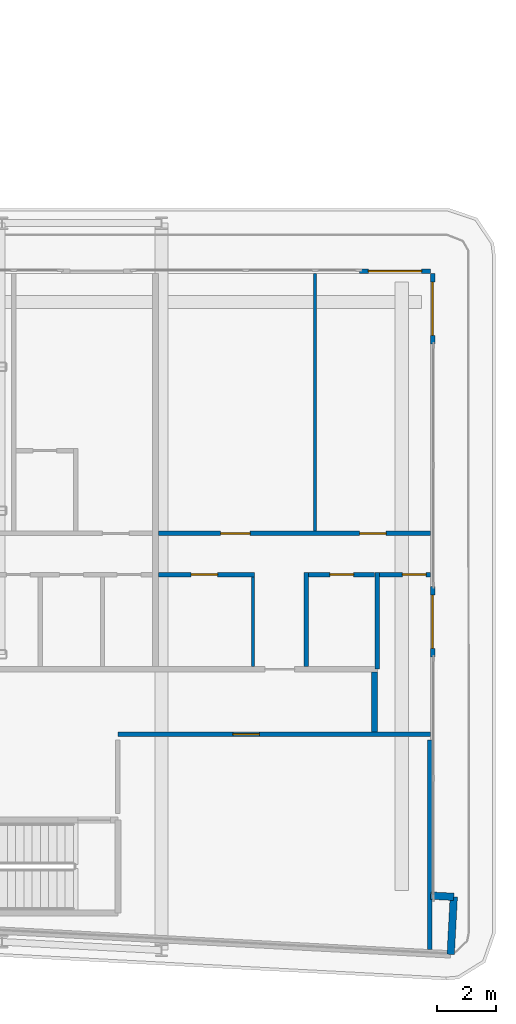
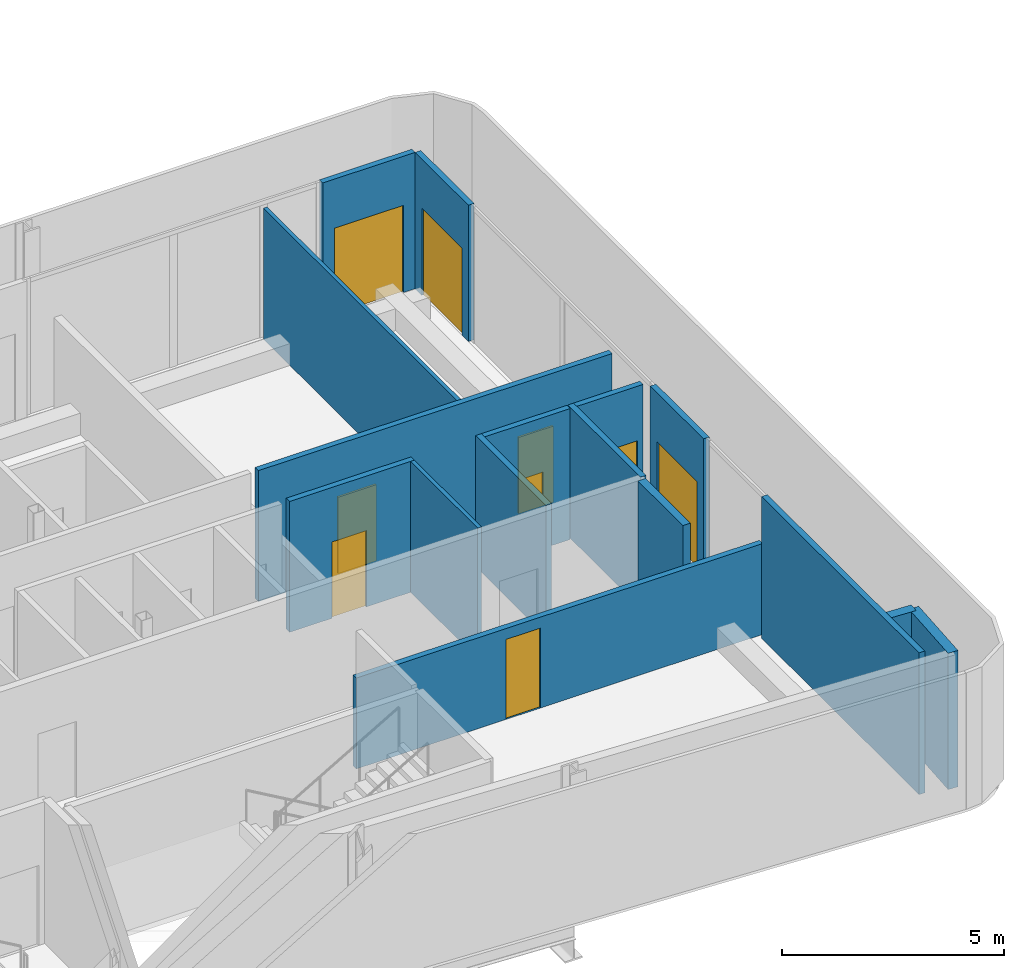
# One storey, part 19 of 28: 16 walls, 9 doors, 9 openings.
"""IFC4 building model written with IfcOpenShell, lengths in metres."""

from ifc_helpers import new_model, si_unit, direction, frame, frame_2d, origin, place, context, subcontext, project, spatial, rectangle, extrude, source, transform, mapped, material, layer, layer_set, type_object, element, fill, save


model = new_model("IFC4")

# Units and contexts
model_context = context("Model", 3, precision=1e-05, world=origin(), true_north=direction((0.0, 1.0)))
body_context = subcontext(model_context, "Body", "Model", "MODEL_VIEW")
ifc_project = project(units=[si_unit("LENGTHUNIT", "METRE"), si_unit("AREAUNIT", "SQUARE_METRE"), si_unit("VOLUMEUNIT", "CUBIC_METRE"), si_unit("PLANEANGLEUNIT", "RADIAN"), si_unit("MASSUNIT", "GRAM", prefix="KILO")], contexts=[model_context])

# Site, building, storey
site_placement = place(None, origin())
site = spatial("IfcSite", under=ifc_project, at=site_placement, CompositionType="ELEMENT")
building_placement = place(site_placement, origin())
building = spatial("IfcBuilding", under=site, at=building_placement, Name="Kheshtan School and Residences Tower", CompositionType="ELEMENT")
storey_placement = place(building_placement, frame((0.0, 0.0, 187.699951171875)))
storey = spatial("IfcBuildingStorey", under=building, at=storey_placement, Name="L44", CompositionType="ELEMENT", Elevation=187.699951171875)

# Walls
ifc_material_1 = material(Name="Gypsum board on steel studs with fire boards", Category="steel")
ifc_layer_1 = layer(ifc_material_1, 0.199951171875)
ifc_layer_set_1 = layer_set([ifc_layer_1], Name="Corridor wall 200")
wall_type_1 = type_object("IfcWallType", Name="Corridor wall 200", PredefinedType="PARTITIONING", material=ifc_layer_set_1)
wall_1_placement = place(storey_placement, frame((98.0, 28.3740234375, 0.0), z_axis=(0.0, 0.0, 1.0), x_axis=(0.0, 1.0, 0.0)))
element("IfcWall", 1, at=wall_1_placement, inside=storey, type_object=wall_type_1, Name="Partition L44-077", PredefinedType="PARTITIONING", context=body_context, shape_type="SweptSolid", body=[
    extrude(rectangle(XDim=2.02587890625, YDim=0.199951171875, at=frame_2d((1.012939453125, 0.0))), origin(), (0.0, 0.0, 1.0), 3.60009765625),
])
ifc_material_2 = material(Name="Concrete C40/50 with ceramic cladding and mineral wool insulation", Category="concrete")
ifc_layer_2 = layer(ifc_material_2, 0.25)
ifc_layer_set_2 = layer_set([ifc_layer_2], Name="External wall 250 ceramic clad")
wall_type_2 = type_object("IfcWallType", Name="External wall 250 ceramic clad", PredefinedType="SOLIDWALL", material=ifc_layer_set_2)
wall_2_placement = place(storey_placement, frame((99.906982421875, 22.839111328125, 0.0), z_axis=(0.0, 0.0, 1.0), x_axis=(0.998561284263, -0.053622398031, 0.0)))
element("IfcWall", 2, at=wall_2_placement, inside=storey, type_object=wall_type_2, Name="External wall L44 14", PredefinedType="SOLIDWALL", context=body_context, shape_type="SweptSolid", body=[
    extrude(rectangle(XDim=0.783203125, YDim=0.25, at=frame_2d((0.3916015625, 0.0))), origin(), (0.0, 0.0, 1.0), 3.75),
])
wall_3_placement = place(storey_placement, frame((100.68896484375, 22.797119140625, 0.0), z_axis=(0.0, 0.0, 1.0), x_axis=(-0.052841433274, -0.998602915542, 0.0)))
element("IfcWall", 3, at=wall_3_placement, inside=storey, type_object=wall_type_2, Name="External wall L44 15", PredefinedType="SOLIDWALL", context=body_context, shape_type="SweptSolid", body=[
    extrude(rectangle(XDim=1.94970703125, YDim=0.25, at=frame_2d((0.974853515625, 0.0))), origin(), (0.0, 0.0, 1.0), 3.75),
])

# Wall, opening, door
ifc_material_3 = material(Name="Aluminium frame wall with insulated infill", Category="aluminium")
ifc_layer_3 = layer(ifc_material_3, 0.14990234375)
ifc_layer_set_3 = layer_set([ifc_layer_3], Name="Glazing frame wall 150")
wall_type_3 = type_object("IfcWallType", Name="Glazing frame wall 150", PredefinedType="SOLIDWALL", material=ifc_layer_set_3)
wall_4_placement = place(storey_placement, frame((97.5, 43.97509765625, 0.0), z_axis=(0.0, 0.0, 1.0), x_axis=(1.0, 0.0, 0.0)))
wall_4 = element("IfcWall", 4, at=wall_4_placement, inside=storey, type_object=wall_type_3, Name="Balcony door wall L44 12.5", PredefinedType="SOLIDWALL", context=body_context, shape_type="SweptSolid", body=[
    extrude(rectangle(XDim=2.39990234375, YDim=0.14990234375, at=frame_2d((1.199951171875, 0.0))), origin(), (0.0, 0.0, 1.0), 3.75),
])
opening_1_placement = place(wall_4_placement, frame((0.300048828125, 0.0, 0.0)))
opening_1 = element("IfcOpeningElement", 5, at=opening_1_placement, cuts=wall_4, Name="Opening BD", PredefinedType="OPENING", context=body_context, shape_type="SweptSolid", body=[
    extrude(rectangle(XDim=1.800048828125, YDim=2.39990234375, at=frame_2d((0.89990234375, 1.199951171875))), frame((0.0, 0.0849609375, 0.0), z_axis=(0.0, -1.0, 0.0), x_axis=(1.0, 0.0, 0.0)), (0.0, 0.0, 1.0), 0.169921875),
])
ifc_material_4 = material(Name="Clear low-e glass in thermally broken aluminium frame", Category="aluminium")
door_type_1 = type_object("IfcDoorType", Name="Balcony sliding door", OperationType="SLIDING_TO_LEFT", PredefinedType="DOOR", material=ifc_material_4)
shared_shape_1 = source(origin(), body_context, "Body", "SweptSolid", [
    extrude(rectangle(XDim=1.800048828125, YDim=2.39990234375, at=frame_2d((0.89990234375, 1.199951171875))), frame((0.0, 0.02490234375, 0.0), z_axis=(0.0, -1.0, 0.0), x_axis=(1.0, 0.0, 0.0)), (0.0, 0.0, 1.0), 0.050048828125),
])
door_1_placement = place(opening_1_placement, origin())
door_1 = element("IfcDoor", 6, at=door_1_placement, inside=storey, type_object=door_type_1, Name="Balcony door L44 12.5", OperationType="SLIDING_TO_LEFT", OverallHeight=2.39990234375, OverallWidth=1.800048828125, PredefinedType="DOOR", context=body_context, shape_type="MappedRepresentation", body=[
    mapped(shared_shape_1, transform((0.0, 0.0, 0.0), x_axis=(1.0, 0.0, 0.0), y_axis=(0.0, 1.0, 0.0), z_axis=(0.0, 0.0, 1.0), scale=1.0)),
])
fill(opening_1, door_1)

wall_5_placement = place(storey_placement, frame((99.97509765625, 43.89990234375, 0.0), z_axis=(0.0, 0.0, 1.0), x_axis=(0.0, -1.0, 0.0)))
wall_5 = element("IfcWall", 7, at=wall_5_placement, inside=storey, type_object=wall_type_3, Name="Balcony door wall L44 13.1", PredefinedType="SOLIDWALL", context=body_context, shape_type="SweptSolid", body=[
    extrude(rectangle(XDim=2.39990234375, YDim=0.14990234375, at=frame_2d((1.199951171875, 0.0))), origin(), (0.0, 0.0, 1.0), 3.75),
])
opening_2_placement = place(wall_5_placement, frame((0.300048828125, 0.0, 0.0)))
opening_2 = element("IfcOpeningElement", 8, at=opening_2_placement, cuts=wall_5, Name="Opening BD", PredefinedType="OPENING", context=body_context, shape_type="SweptSolid", body=[
    extrude(rectangle(XDim=1.800048828125, YDim=2.39990234375, at=frame_2d((0.89990234375, 1.199951171875))), frame((0.0, 0.0849609375, 0.0), z_axis=(0.0, -1.0, 0.0), x_axis=(1.0, 0.0, 0.0)), (0.0, 0.0, 1.0), 0.169921875),
])
door_2_placement = place(opening_2_placement, origin())
door_2 = element("IfcDoor", 9, at=door_2_placement, inside=storey, type_object=door_type_1, Name="Balcony door L44 13.1", OperationType="SLIDING_TO_LEFT", OverallHeight=2.39990234375, OverallWidth=1.800048828125, PredefinedType="DOOR", context=body_context, shape_type="MappedRepresentation", body=[
    mapped(shared_shape_1, transform((0.0, 0.0, 0.0), x_axis=(1.0, 0.0, 0.0), y_axis=(0.0, 1.0, 0.0), z_axis=(0.0, 0.0, 1.0), scale=1.0)),
])
fill(opening_2, door_2)

wall_6_placement = place(storey_placement, frame((99.97509765625, 33.306884765625, 0.0), z_axis=(0.0, 0.0, 1.0), x_axis=(0.0, -1.0, 0.0)))
wall_6 = element("IfcWall", 10, at=wall_6_placement, inside=storey, type_object=wall_type_3, Name="Balcony door wall L44 13.2", PredefinedType="SOLIDWALL", context=body_context, shape_type="SweptSolid", body=[
    extrude(rectangle(XDim=2.39990234375, YDim=0.14990234375, at=frame_2d((1.199951171875, 0.0))), origin(), (0.0, 0.0, 1.0), 3.75),
])
opening_3_placement = place(wall_6_placement, frame((0.300048828125, 0.0, 0.0)))
opening_3 = element("IfcOpeningElement", 11, at=opening_3_placement, cuts=wall_6, Name="Opening BD", PredefinedType="OPENING", context=body_context, shape_type="SweptSolid", body=[
    extrude(rectangle(XDim=1.800048828125, YDim=2.39990234375, at=frame_2d((0.89990234375, 1.199951171875))), frame((0.0, 0.0849609375, 0.0), z_axis=(0.0, -1.0, 0.0), x_axis=(1.0, 0.0, 0.0)), (0.0, 0.0, 1.0), 0.169921875),
])
door_3_placement = place(opening_3_placement, origin())
door_3 = element("IfcDoor", 12, at=door_3_placement, inside=storey, type_object=door_type_1, Name="Balcony door L44 13.2", OperationType="SLIDING_TO_LEFT", OverallHeight=2.39990234375, OverallWidth=1.800048828125, PredefinedType="DOOR", context=body_context, shape_type="MappedRepresentation", body=[
    mapped(shared_shape_1, transform((0.0, 0.0, 0.0), x_axis=(1.0, 0.0, 0.0), y_axis=(0.0, 1.0, 0.0), z_axis=(0.0, 0.0, 1.0), scale=1.0)),
])
fill(opening_3, door_3)

# Walls
ifc_material_5 = material(Name="Gypsum board on steel studs", Category="steel")
ifc_layer_4 = layer(ifc_material_5, 0.10009765625)
ifc_layer_set_4 = layer_set([ifc_layer_4], Name="Gypsum partition 100")
wall_type_4 = type_object("IfcWallType", Name="Gypsum partition 100", PredefinedType="PARTITIONING", material=ifc_layer_set_4)
wall_7_placement = place(storey_placement, frame((93.89990234375, 30.60009765625, 0.0), z_axis=(0.0, 0.0, 1.0), x_axis=(0.0, 1.0, 0.0)))
element("IfcWall", 13, at=wall_7_placement, inside=storey, type_object=wall_type_4, Name="Partition L44-073", PredefinedType="PARTITIONING", context=body_context, shape_type="SweptSolid", body=[
    extrude(rectangle(XDim=3.02490234375, YDim=0.10009765625, at=frame_2d((1.512451171875, 0.0))), origin(), (0.0, 0.0, 1.0), 3.60009765625),
])
wall_8_placement = place(storey_placement, frame((96.0, 35.175048828125, 0.0), z_axis=(0.0, 0.0, 1.0), x_axis=(0.0, 1.0, 0.0)))
element("IfcWall", 14, at=wall_8_placement, inside=storey, type_object=wall_type_4, Name="Partition L44-076", PredefinedType="PARTITIONING", context=body_context, shape_type="SweptSolid", body=[
    extrude(rectangle(XDim=8.724853515625, YDim=0.10009765625, at=frame_2d((4.3623046875, 0.0))), origin(), (0.0, 0.0, 1.0), 3.60009765625),
])

# Wall, opening, door
ifc_material_6 = material(Name="Fire-board shaft wall system")
ifc_layer_5 = layer(ifc_material_6, 0.14990234375)
ifc_layer_set_5 = layer_set([ifc_layer_5], Name="Service room wall 150")
wall_type_5 = type_object("IfcWallType", Name="Service room wall 150", PredefinedType="PARTITIONING", material=ifc_layer_set_5)
wall_9_placement = place(storey_placement, frame((89.320068359375, 28.300048828125, 0.0), z_axis=(0.0, 0.0, 1.0), x_axis=(1.0, 0.0, 0.0)))
wall_9 = element("IfcWall", 15, at=wall_9_placement, inside=storey, type_object=wall_type_5, Name="Service room wall", PredefinedType="PARTITIONING", context=body_context, shape_type="SweptSolid", body=[
    extrude(rectangle(XDim=10.577880859375, YDim=0.14990234375, at=frame_2d((5.2890625, 0.0))), origin(), (0.0, 0.0, 1.0), 2.5),
])
opening_4_placement = place(wall_9_placement, frame((3.889892578125, 0.0, 0.0)))
opening_4 = element("IfcOpeningElement", 16, at=opening_4_placement, cuts=wall_9, Name="Opening SR90", PredefinedType="OPENING", context=body_context, shape_type="SweptSolid", body=[
    extrude(rectangle(XDim=0.89990234375, YDim=2.199951171875, at=frame_2d((0.449951171875, 1.10009765625))), frame((0.0, 0.0849609375, 0.0), z_axis=(0.0, -1.0, 0.0), x_axis=(1.0, 0.0, 0.0)), (0.0, 0.0, 1.0), 0.169921875),
])
ifc_material_7 = material(Name="Steel door leaf, galvanised", Category="steel")
door_type_2 = type_object("IfcDoorType", Name="Service room door 900 steel 90 min", OperationType="SINGLE_SWING_LEFT", PredefinedType="DOOR", material=ifc_material_7)
shared_shape_2 = source(origin(), body_context, "Body", "SweptSolid", [
    extrude(rectangle(XDim=0.89990234375, YDim=2.199951171875, at=frame_2d((0.449951171875, 1.10009765625))), frame((0.0, 0.02490234375, 0.0), z_axis=(0.0, -1.0, 0.0), x_axis=(1.0, 0.0, 0.0)), (0.0, 0.0, 1.0), 0.050048828125),
])
door_4_placement = place(opening_4_placement, origin())
door_4 = element("IfcDoor", 17, at=door_4_placement, inside=storey, type_object=door_type_2, Name="Service room door", OperationType="SINGLE_SWING_RIGHT", OverallHeight=2.199951171875, OverallWidth=0.89990234375, PredefinedType="DOOR", context=body_context, shape_type="MappedRepresentation", body=[
    mapped(shared_shape_2, transform((0.0, 0.0, 0.0), x_axis=(1.0, 0.0, 0.0), y_axis=(0.0, 1.0, 0.0), z_axis=(0.0, 0.0, 1.0), scale=1.0)),
])
fill(opening_4, door_4)

# Wall
wall_10_placement = place(storey_placement, frame((99.8701171875, 21.014892578125, 0.0), z_axis=(0.0, 0.0, 1.0), x_axis=(0.0, 1.0, 0.0)))
element("IfcWall", 18, at=wall_10_placement, inside=storey, type_object=wall_type_5, Name="Service room wall", PredefinedType="PARTITIONING", context=body_context, shape_type="SweptSolid", body=[
    extrude(rectangle(XDim=7.090087890625, YDim=0.14990234375, at=frame_2d((3.544921875, 0.0))), origin(), (0.0, 0.0, 1.0), 3.900146484375),
])

# Wall, opening, door
ifc_material_8 = material(Name="Moisture-resistant gypsum board on steel studs", Category="steel")
ifc_layer_6 = layer(ifc_material_8, 0.14990234375)
ifc_layer_set_6 = layer_set([ifc_layer_6], Name="Wet-room partition 150")
wall_type_6 = type_object("IfcWallType", Name="Wet-room partition 150", PredefinedType="PARTITIONING", material=ifc_layer_set_6)
wall_11_placement = place(storey_placement, frame((90.699951171875, 33.699951171875, 0.0), z_axis=(0.0, 0.0, 1.0), x_axis=(1.0, 0.0, 0.0)))
wall_11 = element("IfcWall", 19, at=wall_11_placement, inside=storey, type_object=wall_type_6, Name="Partition L44-071", PredefinedType="PARTITIONING", context=body_context, shape_type="SweptSolid", body=[
    extrude(rectangle(XDim=3.25, YDim=0.14990234375, at=frame_2d((1.625, 0.0))), origin(), (0.0, 0.0, 1.0), 3.60009765625),
])
opening_5_placement = place(wall_11_placement, frame((1.10009765625, 0.0, 0.0)))
opening_5 = element("IfcOpeningElement", 20, at=opening_5_placement, cuts=wall_11, Name="Opening D43-031", PredefinedType="OPENING", context=body_context, shape_type="SweptSolid", body=[
    extrude(rectangle(XDim=0.89990234375, YDim=2.10009765625, at=frame_2d((0.449951171875, 1.050048828125))), frame((0.0, 0.0849609375, 0.0), z_axis=(0.0, -1.0, 0.0), x_axis=(1.0, 0.0, 0.0)), (0.0, 0.0, 1.0), 0.169921875),
])
ifc_material_9 = material(Name="Veneered timber door leaf", Category="wood")
door_type_3 = type_object("IfcDoorType", Name="Door 900 x 2100", OperationType="SINGLE_SWING_LEFT", PredefinedType="DOOR", material=ifc_material_9)
shared_shape_3 = source(origin(), body_context, "Body", "SweptSolid", [
    extrude(rectangle(XDim=0.89990234375, YDim=2.10009765625, at=frame_2d((0.449951171875, 1.050048828125))), frame((0.0, 0.02490234375, 0.0), z_axis=(0.0, -1.0, 0.0), x_axis=(1.0, 0.0, 0.0)), (0.0, 0.0, 1.0), 0.050048828125),
])
door_5_placement = place(opening_5_placement, origin())
door_5 = element("IfcDoor", 21, at=door_5_placement, inside=storey, type_object=door_type_3, Name="Door D43-031", OperationType="SINGLE_SWING_RIGHT", OverallHeight=2.10009765625, OverallWidth=0.89990234375, PredefinedType="DOOR", context=body_context, shape_type="MappedRepresentation", body=[
    mapped(shared_shape_3, transform((0.0, 0.0, 0.0), x_axis=(1.0, 0.0, 0.0), y_axis=(0.0, 1.0, 0.0), z_axis=(0.0, 0.0, 1.0), scale=1.0)),
])
fill(opening_5, door_5)

# Wall, openings, doors
wall_12_placement = place(storey_placement, frame((90.699951171875, 35.10009765625, 0.0), z_axis=(0.0, 0.0, 1.0), x_axis=(1.0, 0.0, 0.0)))
wall_12 = element("IfcWall", 22, at=wall_12_placement, inside=storey, type_object=wall_type_6, Name="Partition L44-072", PredefinedType="PARTITIONING", context=body_context, shape_type="SweptSolid", body=[
    extrude(rectangle(XDim=9.199951171875, YDim=0.14990234375, at=frame_2d((4.60009765625, 0.0))), origin(), (0.0, 0.0, 1.0), 3.60009765625),
])
opening_6_placement = place(wall_12_placement, frame((6.800048828125, 0.0, 0.0)))
opening_6 = element("IfcOpeningElement", 23, at=opening_6_placement, cuts=wall_12, Name="Opening D43-029", PredefinedType="OPENING", context=body_context, shape_type="SweptSolid", body=[
    extrude(rectangle(XDim=0.89990234375, YDim=2.10009765625, at=frame_2d((0.449951171875, 1.050048828125))), frame((0.0, 0.0849609375, 0.0), z_axis=(0.0, -1.0, 0.0), x_axis=(1.0, 0.0, 0.0)), (0.0, 0.0, 1.0), 0.169921875),
])
opening_7_placement = place(wall_12_placement, frame((2.10009765625, 0.0, 0.0)))
opening_7 = element("IfcOpeningElement", 24, at=opening_7_placement, cuts=wall_12, Name="Opening D43-032", PredefinedType="OPENING", context=body_context, shape_type="SweptSolid", body=[
    extrude(rectangle(XDim=1.0, YDim=2.10009765625, at=frame_2d((0.5, 1.050048828125))), frame((0.0, 0.0849609375, 0.0), z_axis=(0.0, -1.0, 0.0), x_axis=(1.0, 0.0, 0.0)), (0.0, 0.0, 1.0), 0.169921875),
])
door_type_4 = type_object("IfcDoorType", Name="Door 1000 x 2100", OperationType="SINGLE_SWING_LEFT", PredefinedType="DOOR", material=ifc_material_9)
shared_shape_4 = source(origin(), body_context, "Body", "SweptSolid", [
    extrude(rectangle(XDim=1.0, YDim=2.10009765625, at=frame_2d((0.5, 1.050048828125))), frame((0.0, 0.02490234375, 0.0), z_axis=(0.0, -1.0, 0.0), x_axis=(1.0, 0.0, 0.0)), (0.0, 0.0, 1.0), 0.050048828125),
])
door_6_placement = place(opening_7_placement, origin())
door_6 = element("IfcDoor", 25, at=door_6_placement, inside=storey, type_object=door_type_4, Name="Door D43-032", OperationType="SINGLE_SWING_RIGHT", OverallHeight=2.10009765625, OverallWidth=1.0, PredefinedType="DOOR", context=body_context, shape_type="MappedRepresentation", body=[
    mapped(shared_shape_4, transform((0.0, 0.0, 0.0), x_axis=(1.0, 0.0, 0.0), y_axis=(0.0, 1.0, 0.0), z_axis=(0.0, 0.0, 1.0), scale=1.0)),
])
fill(opening_7, door_6)
door_7_placement = place(opening_6_placement, origin())
door_7 = element("IfcDoor", 26, at=door_7_placement, inside=storey, type_object=door_type_3, Name="Door D43-029", OperationType="SINGLE_SWING_LEFT", OverallHeight=2.10009765625, OverallWidth=0.89990234375, PredefinedType="DOOR", context=body_context, shape_type="MappedRepresentation", body=[
    mapped(shared_shape_3, transform((0.0, 0.0, 0.0), x_axis=(1.0, 0.0, 0.0), y_axis=(0.0, 1.0, 0.0), z_axis=(0.0, 0.0, 1.0), scale=1.0)),
])
fill(opening_6, door_7)

# Wall
wall_13_placement = place(storey_placement, frame((95.699951171875, 30.60009765625, 0.0), z_axis=(0.0, 0.0, 1.0), x_axis=(0.0, 1.0, 0.0)))
element("IfcWall", 27, at=wall_13_placement, inside=storey, type_object=wall_type_6, Name="Partition L44-074", PredefinedType="PARTITIONING", context=body_context, shape_type="SweptSolid", body=[
    extrude(rectangle(XDim=3.1748046875, YDim=0.14990234375, at=frame_2d((1.58740234375, 0.0))), origin(), (0.0, 0.0, 1.0), 3.60009765625),
])

# Wall, opening, door
wall_14_placement = place(storey_placement, frame((95.77490234375, 33.699951171875, 0.0), z_axis=(0.0, 0.0, 1.0), x_axis=(1.0, 0.0, 0.0)))
wall_14 = element("IfcWall", 28, at=wall_14_placement, inside=storey, type_object=wall_type_6, Name="Partition L44-075", PredefinedType="PARTITIONING", context=body_context, shape_type="SweptSolid", body=[
    extrude(rectangle(XDim=2.22509765625, YDim=0.14990234375, at=frame_2d((1.112548828125, 0.0))), origin(), (0.0, 0.0, 1.0), 3.60009765625),
])
opening_8_placement = place(wall_14_placement, frame((0.72509765625, 0.0, 0.0)))
opening_8 = element("IfcOpeningElement", 29, at=opening_8_placement, cuts=wall_14, Name="Opening D43-028", PredefinedType="OPENING", context=body_context, shape_type="SweptSolid", body=[
    extrude(rectangle(XDim=0.800048828125, YDim=2.10009765625, at=frame_2d((0.39990234375, 1.050048828125))), frame((0.0, 0.0849609375, 0.0), z_axis=(0.0, -1.0, 0.0), x_axis=(1.0, 0.0, 0.0)), (0.0, 0.0, 1.0), 0.169921875),
])
door_type_5 = type_object("IfcDoorType", Name="Door 800 x 2100", OperationType="SINGLE_SWING_LEFT", PredefinedType="DOOR", material=ifc_material_9)
shared_shape_5 = source(origin(), body_context, "Body", "SweptSolid", [
    extrude(rectangle(XDim=0.800048828125, YDim=2.10009765625, at=frame_2d((0.39990234375, 1.050048828125))), frame((0.0, 0.02490234375, 0.0), z_axis=(0.0, -1.0, 0.0), x_axis=(1.0, 0.0, 0.0)), (0.0, 0.0, 1.0), 0.050048828125),
])
door_8_placement = place(opening_8_placement, origin())
door_8 = element("IfcDoor", 30, at=door_8_placement, inside=storey, type_object=door_type_5, Name="Door D43-028", OperationType="SINGLE_SWING_RIGHT", OverallHeight=2.10009765625, OverallWidth=0.800048828125, PredefinedType="DOOR", context=body_context, shape_type="MappedRepresentation", body=[
    mapped(shared_shape_5, transform((0.0, 0.0, 0.0), x_axis=(1.0, 0.0, 0.0), y_axis=(0.0, 1.0, 0.0), z_axis=(0.0, 0.0, 1.0), scale=1.0)),
])
fill(opening_8, door_8)

# Wall
wall_15_placement = place(storey_placement, frame((98.10009765625, 30.5, 0.0), z_axis=(0.0, 0.0, 1.0), x_axis=(0.0, 1.0, 0.0)))
element("IfcWall", 31, at=wall_15_placement, inside=storey, type_object=wall_type_6, Name="Partition L44-078", PredefinedType="PARTITIONING", context=body_context, shape_type="SweptSolid", body=[
    extrude(rectangle(XDim=3.27490234375, YDim=0.14990234375, at=frame_2d((1.637451171875, 0.0))), origin(), (0.0, 0.0, 1.0), 3.60009765625),
])

# Wall, opening, door
wall_16_placement = place(storey_placement, frame((98.175048828125, 33.699951171875, 0.0), z_axis=(0.0, 0.0, 1.0), x_axis=(1.0, 0.0, 0.0)))
wall_16 = element("IfcWall", 32, at=wall_16_placement, inside=storey, type_object=wall_type_6, Name="Partition L44-079", PredefinedType="PARTITIONING", context=body_context, shape_type="SweptSolid", body=[
    extrude(rectangle(XDim=1.724853515625, YDim=0.14990234375, at=frame_2d((0.8623046875, 0.0))), origin(), (0.0, 0.0, 1.0), 3.60009765625),
])
opening_9_placement = place(wall_16_placement, frame((0.77490234375, 0.0, 0.0)))
opening_9 = element("IfcOpeningElement", 33, at=opening_9_placement, cuts=wall_16, Name="Opening D43-033", PredefinedType="OPENING", context=body_context, shape_type="SweptSolid", body=[
    extrude(rectangle(XDim=0.800048828125, YDim=2.10009765625, at=frame_2d((0.39990234375, 1.050048828125))), frame((0.0, 0.0849609375, 0.0), z_axis=(0.0, -1.0, 0.0), x_axis=(1.0, 0.0, 0.0)), (0.0, 0.0, 1.0), 0.169921875),
])
door_9_placement = place(opening_9_placement, origin())
door_9 = element("IfcDoor", 34, at=door_9_placement, inside=storey, type_object=door_type_5, Name="Door D43-033", OperationType="SINGLE_SWING_RIGHT", OverallHeight=2.10009765625, OverallWidth=0.800048828125, PredefinedType="DOOR", context=body_context, shape_type="MappedRepresentation", body=[
    mapped(shared_shape_5, transform((0.0, 0.0, 0.0), x_axis=(1.0, 0.0, 0.0), y_axis=(0.0, 1.0, 0.0), z_axis=(0.0, 0.0, 1.0), scale=1.0)),
])
fill(opening_9, door_9)

save(model, "model.ifc")
